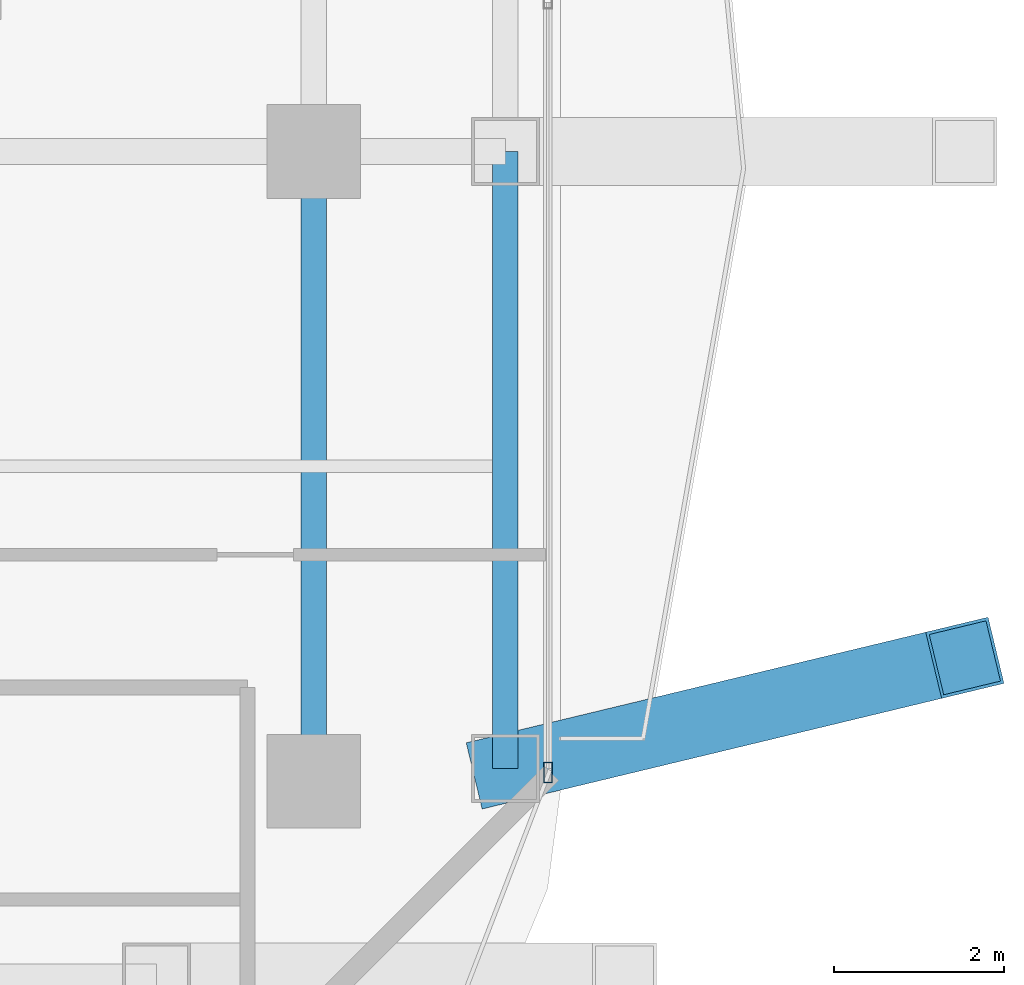
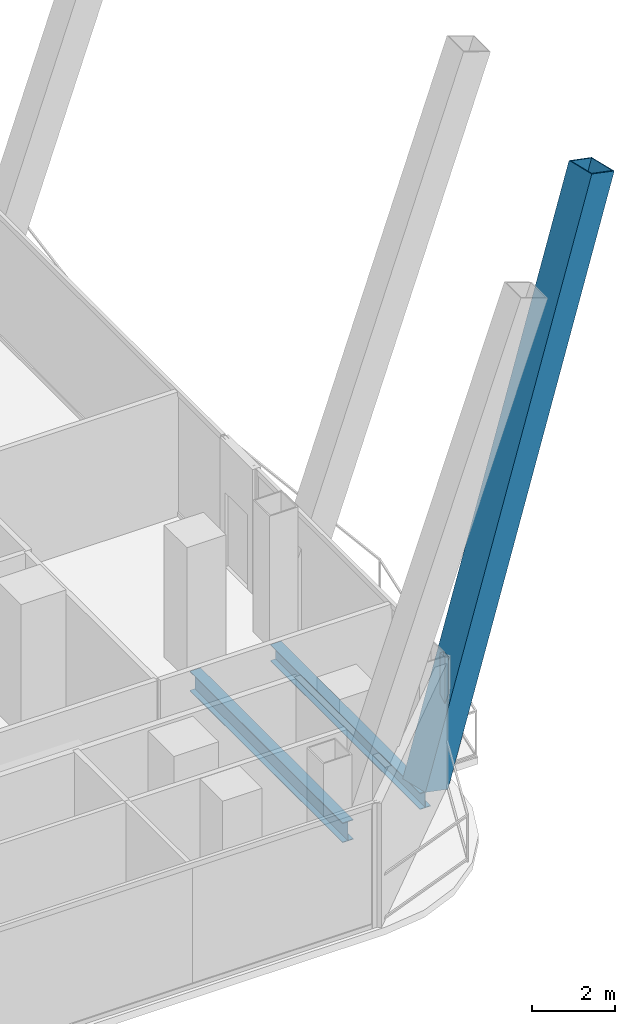
# One storey, part 11 of 32: 2 beams, 2 members, 1 element without a shape of its own.
"""IFC4 building model written with IfcOpenShell, lengths in metres."""

from ifc_helpers import new_model, si_unit, direction, frame, origin, origin_2d, place, context, subcontext, project, spatial, hollow_rectangle, i_section, extrude, material, layer, layer_set, material_profile, profile_set, type_object, element, aggregate, save


model = new_model("IFC4")

# Units and contexts
model_context = context("Model", 3, precision=1e-05, world=origin(), true_north=direction((0.0, 1.0)))
body_context = subcontext(model_context, "Body", "Model", "MODEL_VIEW")
ifc_project = project(units=[si_unit("LENGTHUNIT", "METRE"), si_unit("AREAUNIT", "SQUARE_METRE"), si_unit("VOLUMEUNIT", "CUBIC_METRE"), si_unit("PLANEANGLEUNIT", "RADIAN"), si_unit("MASSUNIT", "GRAM", prefix="KILO")], contexts=[model_context])

# Site, building, storey
site_placement = place(None, origin())
site = spatial("IfcSite", under=ifc_project, at=site_placement, CompositionType="ELEMENT")
building_placement = place(site_placement, origin())
building = spatial("IfcBuilding", under=site, at=building_placement, Name="Khorvyn Point Tower", CompositionType="ELEMENT")
storey_placement = place(building_placement, frame((0.0, 0.0, 93.0)))
storey = spatial("IfcBuildingStorey", under=building, at=storey_placement, Name="L23", CompositionType="ELEMENT", Elevation=93.0)

# Curtain wall, member
ifc_material_1 = material(Name="Anodised aluminium 6063-T6 and laminated Low-E glass", Category="aluminium")
ifc_layer = layer(ifc_material_1, 0.18994140625)
ifc_layer_set = layer_set([ifc_layer], Name="Stick-Built Finned Residential Curtain Wall CW-SYS-02")
curtain_wall_type = type_object("IfcCurtainWallType", Name="Stick-Built Finned Residential Curtain Wall CW-SYS-02", PredefinedType="NOTDEFINED", material=ifc_layer_set)
curtain_wall_placement = place(storey_placement, origin())
curtain_wall = element("IfcCurtainWall", 1, at=curtain_wall_placement, inside=storey, type_object=curtain_wall_type, Name="Curtain Wall", PredefinedType="NOTDEFINED")
ifc_material_2 = material(Name="Anodised aluminium 6063-T6", Category="aluminium")
ifc_material_profile_1 = material_profile(ifc_material_2, hollow_rectangle(XDim=0.10009765625, YDim=0.239990234375, WallThickness=0.0048828125, at=origin_2d()))
ifc_profile_set_1 = profile_set([ifc_material_profile_1], Name="Anodised aluminium 6063-T6 ALU-MUL-100x240")
member_type_1 = type_object("IfcMemberType", Name="Anodised Aluminium 6063-T6 Mullion ALU-MUL-100x240", PredefinedType="MULLION", material=ifc_profile_set_1)
member_1_placement = place(storey_placement, frame((22.14990234375, -14.699951171875, 0.0), z_axis=(0.0, 0.0, 1.0), x_axis=(1.0, 0.0, 0.0)))
member_1 = element("IfcMember", 2, at=member_1_placement, type_object=member_type_1, Name="Transom", PredefinedType="MULLION", context=body_context, shape_type="SweptSolid", body=[
    extrude(hollow_rectangle(XDim=0.10009765625, YDim=0.239990234375, WallThickness=0.0048828125, at=origin_2d()), origin(), (0.0, 0.0, 1.0), 3.679931640625),
])
aggregate(curtain_wall, [member_1])

# Beams
ifc_material_3 = material(Name="Steel S355", Category="steel")
ifc_material_profile_2 = material_profile(ifc_material_3, i_section(OverallWidth=0.300048828125, OverallDepth=0.587890625, WebThickness=0.011962890625, FlangeThickness=0.02001953125, at=origin_2d()))
ifc_profile_set_2 = profile_set([ifc_material_profile_2], Name="Steel S355 H588x300x12x20")
beam_type_1 = type_object("IfcBeamType", Name="Steel S355 Beam H588x300x12x20", PredefinedType="BEAM", material=ifc_profile_set_2)
beam_1_placement = place(storey_placement, frame((19.39990234375, -14.800048828125, -0.513916015625), z_axis=(0.0, 1.0, 0.0), x_axis=(-1.0, 0.0, 0.0)))
element("IfcBeam", 3, at=beam_1_placement, inside=storey, type_object=beam_type_1, Name="Beam", PredefinedType="BEAM", context=body_context, shape_type="SweptSolid", body=[
    extrude(i_section(OverallWidth=0.300048828125, OverallDepth=0.587890625, WebThickness=0.011962890625, FlangeThickness=0.02001953125, at=origin_2d()), origin(), (0.0, 0.0, 1.0), 7.400146484375),
])
ifc_material_profile_3 = material_profile(ifc_material_3, i_section(OverallWidth=0.300048828125, OverallDepth=0.488037109375, WebThickness=0.010986328125, FlangeThickness=0.01806640625, at=origin_2d()))
ifc_profile_set_3 = profile_set([ifc_material_profile_3], Name="Steel S355 H488x300x11x18")
beam_type_2 = type_object("IfcBeamType", Name="Steel S355 Spandrel H488x300x11x18", PredefinedType="SPANDREL", material=ifc_profile_set_3)
beam_2_placement = place(storey_placement, frame((21.64990234375, -14.64990234375, -0.464111328125), z_axis=(0.0, 1.0, 0.0), x_axis=(-1.0, 0.0, 0.0)))
element("IfcBeam", 4, at=beam_2_placement, inside=storey, type_object=beam_type_2, Name="Beam", PredefinedType="SPANDREL", context=body_context, shape_type="SweptSolid", body=[
    extrude(i_section(OverallWidth=0.300048828125, OverallDepth=0.488037109375, WebThickness=0.010986328125, FlangeThickness=0.01806640625, at=origin_2d()), origin(), (0.0, 0.0, 1.0), 7.25),
])

# Member
ifc_material_4 = material(Name="Steel S450", Category="steel")
ifc_material_profile_4 = material_profile(ifc_material_4, hollow_rectangle(XDim=0.800048828125, YDim=0.800048828125, WallThickness=0.035888671875, at=origin_2d()))
ifc_profile_set_4 = profile_set([ifc_material_profile_4], Name="Steel S450 BOX800x800x36")
member_type_2 = type_object("IfcMemberType", Name="Steel S450 Exoskeleton Structural Post BOX800x800x36", PredefinedType="POST", material=ifc_profile_set_4)
member_2_placement = place(storey_placement, frame((21.64990234375, -14.64990234375, 0.0), z_axis=(0.326107384121, 0.078493408972, 0.942068340817), x_axis=(-0.234014599769, 0.972233082699, 0.0)))
element("IfcMember", 5, at=member_2_placement, inside=storey, type_object=member_type_2, Name="L23 to L27 Exoskeleton Transfer Post 06", PredefinedType="POST", context=body_context, shape_type="SweptSolid", body=[
    extrude(hollow_rectangle(XDim=0.800048828125, YDim=0.800048828125, WallThickness=0.035888671875, at=origin_2d()), origin(), (0.0, 0.0, 1.0), 16.559326171875),
])

save(model, "model.ifc")
